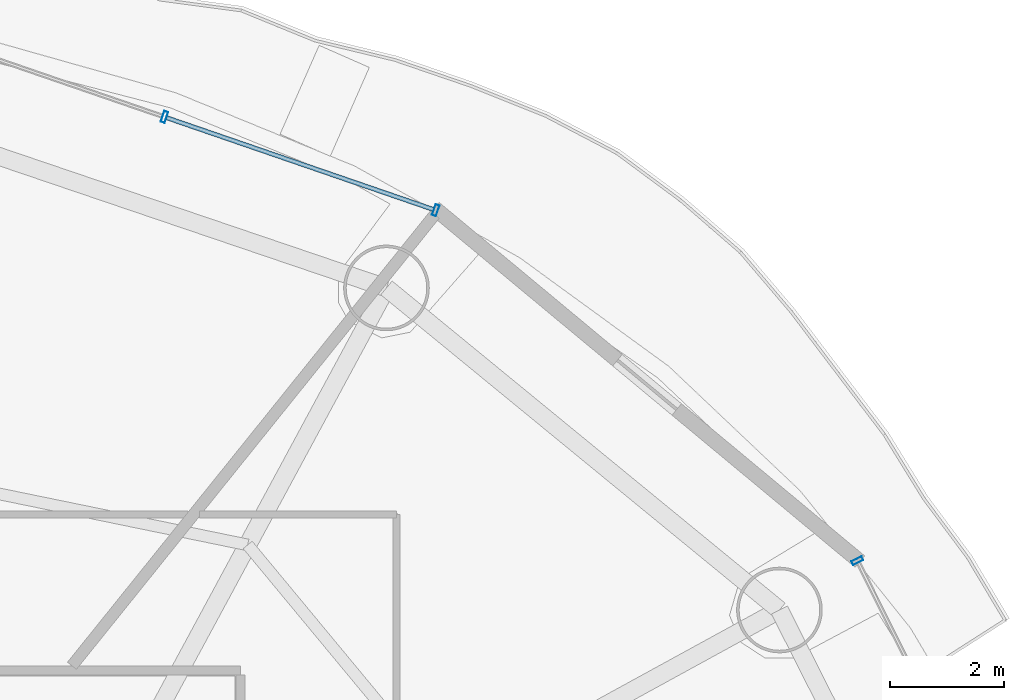
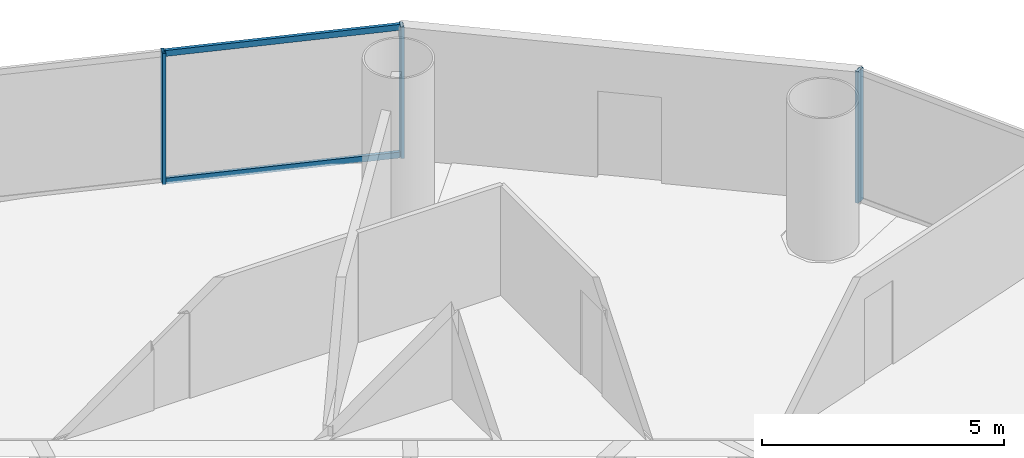
# One storey, part 20 of 29: 5 members, 2 elements without a shape of their own.
"""IFC4 building model written with IfcOpenShell, lengths in metres."""

from ifc_helpers import new_model, si_unit, direction, frame, origin, origin_2d, place, context, subcontext, project, spatial, hollow_rectangle, extrude, source, transform, mapped, material, material_profile, profile_set, type_object, element, aggregate, save


model = new_model("IFC4")

# Units and contexts
model_context = context("Model", 3, precision=1e-05, world=origin(), true_north=direction((-0.2419218956, 0.970295726276)))
body_context = subcontext(model_context, "Body", "Model", "MODEL_VIEW")
ifc_project = project(units=[si_unit("LENGTHUNIT", "METRE"), si_unit("AREAUNIT", "SQUARE_METRE"), si_unit("VOLUMEUNIT", "CUBIC_METRE"), si_unit("PLANEANGLEUNIT", "RADIAN"), si_unit("MASSUNIT", "GRAM", prefix="KILO")], contexts=[model_context])

# Site, building, storey
site_placement = place(None, origin())
site = spatial("IfcSite", under=ifc_project, at=site_placement, CompositionType="ELEMENT")
building_placement = place(site_placement, origin())
building = spatial("IfcBuilding", under=site, at=building_placement, Name="Cobrevalo Terracotta Tower", CompositionType="ELEMENT")
storey_placement = place(building_placement, frame((0.0, 0.0, 112.199951171875)))
storey = spatial("IfcBuildingStorey", under=building, at=storey_placement, Name="L29", CompositionType="ELEMENT", Elevation=112.199951171875)

# Curtain wall, member
ifc_material = material(Name="Anodized aluminium", Category="aluminium")
curtain_wall_type = type_object("IfcCurtainWallType", Name="Lower-tower unitised acoustic low-E curtain wall CW-U1", PredefinedType="NOTDEFINED", material=ifc_material)
curtain_wall_1_placement = place(storey_placement, origin())
curtain_wall_1 = element("IfcCurtainWall", 1, at=curtain_wall_1_placement, inside=storey, type_object=curtain_wall_type, Name="L29 curtain wall CW-L29-S01", PredefinedType="NOTDEFINED")
ifc_material_profile_1 = material_profile(ifc_material, hollow_rectangle(XDim=0.074951171875, YDim=0.199951171875, WallThickness=0.0048828125, at=origin_2d()), Name="CWM 75x200")
ifc_profile_set_1 = profile_set([ifc_material_profile_1], Name="Anodized aluminium")
member_type_1 = type_object("IfcMemberType", Name="Lower/mid tower unitised mullion 75x200", PredefinedType="MULLION", material=ifc_profile_set_1)
shared_shape_1 = source(origin(), body_context, "Body", "SweptSolid", [
    extrude(hollow_rectangle(XDim=0.074951171875, YDim=0.199951171875, WallThickness=0.0048828125, at=origin_2d()), origin(), (0.0, 0.0, 1.0), 3.324951171875),
])
member_1_placement = place(storey_placement, frame((60.110107421875, 39.025634765625, 0.0), z_axis=(0.0, 0.0, 1.0), x_axis=(-0.446260290227, 0.894903208937, 0.0)))
member_1 = element("IfcMember", 2, at=member_1_placement, type_object=member_type_1, Name="CW-L29-S01 vertical mullion 03", PredefinedType="MULLION", context=body_context, shape_type="MappedRepresentation", body=[
    mapped(shared_shape_1, transform((0.0, 0.0, 0.0), scale=1.0)),
])
aggregate(curtain_wall_1, [member_1])

# Curtain wall, members
curtain_wall_2_placement = place(storey_placement, origin())
curtain_wall_2 = element("IfcCurtainWall", 3, at=curtain_wall_2_placement, inside=storey, type_object=curtain_wall_type, Name="L29 curtain wall CW-L29-S03", PredefinedType="NOTDEFINED")
member_2_placement = place(storey_placement, frame((52.7236328125, 45.16357421875, 0.0), z_axis=(0.0, 0.0, 1.0), x_axis=(-0.94559809868, 0.325337110968, 0.0)))
member_2 = element("IfcMember", 4, at=member_2_placement, type_object=member_type_1, Name="CW-L29-S03 vertical mullion 01", PredefinedType="MULLION", context=body_context, shape_type="MappedRepresentation", body=[
    mapped(shared_shape_1, transform((0.0, 0.0, 0.0), scale=1.0)),
])
member_3_placement = place(storey_placement, frame((47.972412109375, 46.79833984375, 0.0), z_axis=(0.0, 0.0, 1.0), x_axis=(-0.94559809868, 0.325337110968, 0.0)))
member_3 = element("IfcMember", 5, at=member_3_placement, type_object=member_type_1, Name="CW-L29-S03 vertical mullion 02", PredefinedType="MULLION", context=body_context, shape_type="MappedRepresentation", body=[
    mapped(shared_shape_1, transform((0.0, 0.0, 0.0), scale=1.0)),
])
ifc_material_profile_2 = material_profile(ifc_material, hollow_rectangle(XDim=0.074951171875, YDim=0.14990234375, WallThickness=0.00439453125, at=origin_2d()), Name="CWT 75x150")
ifc_profile_set_2 = profile_set([ifc_material_profile_2], Name="Anodized aluminium")
member_type_2 = type_object("IfcMemberType", Name="Tower unitised aluminium transom 75x150", PredefinedType="USERDEFINED", material=ifc_profile_set_2)
shared_shape_2 = source(origin(), body_context, "Body", "SweptSolid", [
    extrude(hollow_rectangle(XDim=0.074951171875, YDim=0.14990234375, WallThickness=0.00439453125, at=origin_2d()), origin(), (0.0, 0.0, 1.0), 4.944580078125),
])
member_4_placement = place(storey_placement, frame((52.685791015625, 45.176513671875, 0.050048828125), z_axis=(-0.945597859971, 0.32533780478, 0.0), x_axis=(-0.32533780478, -0.945597859971, 0.0)))
member_4 = element("IfcMember", 6, at=member_4_placement, type_object=member_type_2, Name="CW-L29-S03 transom B01-T1", ObjectType="TRANSOM", PredefinedType="USERDEFINED", context=body_context, shape_type="MappedRepresentation", body=[
    mapped(shared_shape_2, transform((0.0, 0.0, 0.0), scale=1.0)),
])
member_5_placement = place(storey_placement, frame((52.685791015625, 45.176513671875, 3.275146484375), z_axis=(-0.945597859971, 0.32533780478, 0.0), x_axis=(-0.32533780478, -0.945597859971, 0.0)))
member_5 = element("IfcMember", 7, at=member_5_placement, type_object=member_type_2, Name="CW-L29-S03 transom B01-T2", ObjectType="TRANSOM", PredefinedType="USERDEFINED", context=body_context, shape_type="MappedRepresentation", body=[
    mapped(shared_shape_2, transform((0.0, 0.0, 0.0), scale=1.0)),
])
aggregate(curtain_wall_2, [member_2, member_3, member_4, member_5])

save(model, "model.ifc")
